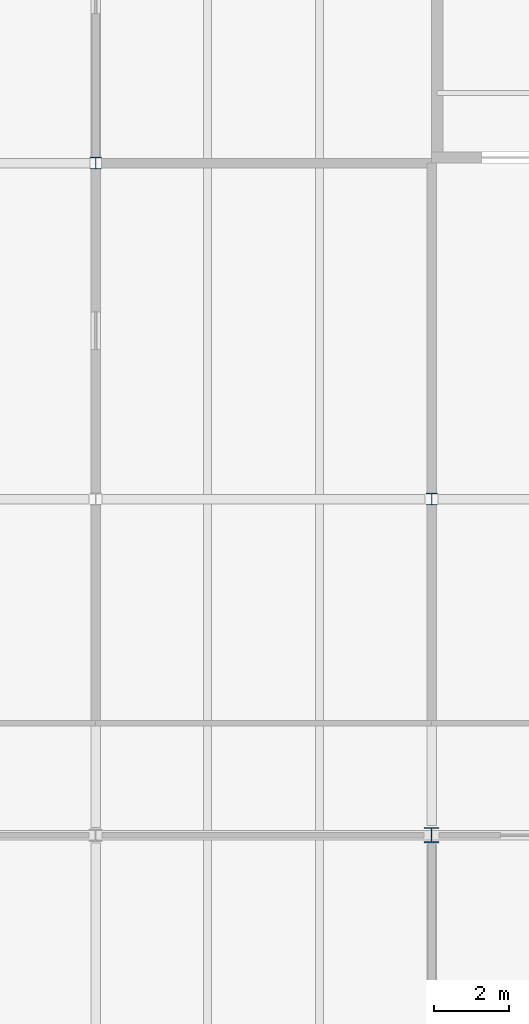
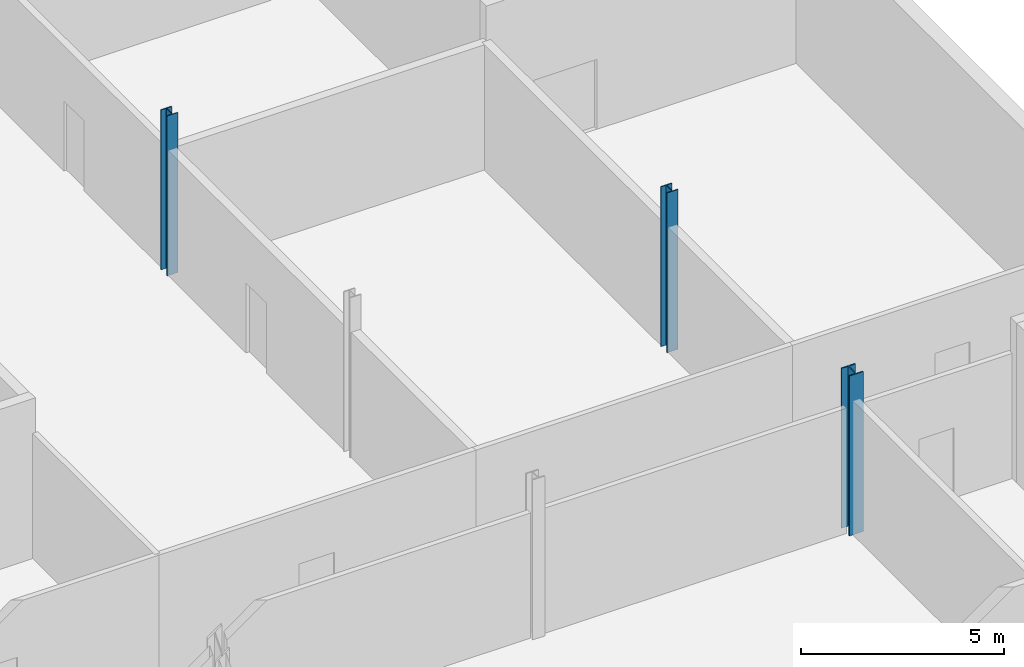
# One storey, part 7 of 31: 3 columns.
"""IFC4 building model written with IfcOpenShell, lengths in metres."""

from ifc_helpers import new_model, si_unit, direction, frame, origin, origin_2d, place, context, subcontext, project, spatial, i_section, extrude, material, material_profile, profile_set, type_object, element, save


model = new_model("IFC4")

# Units and contexts
model_context = context("Model", 3, precision=1e-05, world=origin(), true_north=direction((0.0, 1.0)))
body_context = subcontext(model_context, "Body", "Model", "MODEL_VIEW")
ifc_project = project(units=[si_unit("LENGTHUNIT", "METRE"), si_unit("AREAUNIT", "SQUARE_METRE"), si_unit("VOLUMEUNIT", "CUBIC_METRE"), si_unit("PLANEANGLEUNIT", "RADIAN"), si_unit("MASSUNIT", "GRAM", prefix="KILO")], contexts=[model_context])

# Site, building, storey
site_placement = place(None, origin())
site = spatial("IfcSite", under=ifc_project, at=site_placement, CompositionType="ELEMENT")
building_placement = place(site_placement, origin())
building = spatial("IfcBuilding", under=site, at=building_placement, Name="Halyard Row Museum", CompositionType="ELEMENT")
storey_placement = place(building_placement, frame((0.0, 0.0, -4.800048828125)))
storey = spatial("IfcBuildingStorey", under=building, at=storey_placement, Name="B1", CompositionType="ELEMENT", Elevation=-4.800048828125)

# Columns
ifc_material_1 = material(Name="Steel Grade 300", Category="steel")
ifc_material_profile_1 = material_profile(ifc_material_1, i_section(OverallWidth=0.30908203125, OverallDepth=0.320556640625, WebThickness=0.013916015625, FlangeThickness=0.021728515625, FilletRadius=0.0166015625, at=origin_2d()), Name="310UC137")
ifc_profile_set_1 = profile_set([ifc_material_profile_1], Name="Steel Grade 300")
column_type_1 = type_object("IfcColumnType", Name="Column 310UC137 interior", PredefinedType="COLUMN", material=ifc_profile_set_1)
column_1_placement = place(storey_placement, frame((90.0, 54.0, 0.0), z_axis=(0.0, 0.0, 1.0), x_axis=(1.0, 0.0, 0.0)))
element("IfcColumn", 1, at=column_1_placement, inside=storey, type_object=column_type_1, Name="Column 11G B1", PredefinedType="COLUMN", context=body_context, shape_type="SweptSolid", body=[
    extrude(i_section(OverallWidth=0.30908203125, OverallDepth=0.320556640625, WebThickness=0.013916015625, FlangeThickness=0.021728515625, FilletRadius=0.0166015625, at=origin_2d()), origin(), (0.0, 0.0, 1.0), 4.800048828125),
])
ifc_material_2 = material(Name="Steel Grade 300", Category="steel")
ifc_material_profile_2 = material_profile(ifc_material_2, i_section(OverallWidth=0.31103515625, OverallDepth=0.3271484375, WebThickness=0.015625, FlangeThickness=0.02490234375, FilletRadius=0.0166015625, at=origin_2d()), Name="310UC158")
ifc_profile_set_2 = profile_set([ifc_material_profile_2], Name="Steel Grade 300")
column_type_2 = type_object("IfcColumnType", Name="Column 310UC158 interior", PredefinedType="COLUMN", material=ifc_profile_set_2)
column_2_placement = place(storey_placement, frame((99.0, 45.0, 0.0), z_axis=(0.0, 0.0, 1.0), x_axis=(1.0, 0.0, 0.0)))
element("IfcColumn", 2, at=column_2_placement, inside=storey, type_object=column_type_2, Name="Column 12F B1", PredefinedType="COLUMN", context=body_context, shape_type="SweptSolid", body=[
    extrude(i_section(OverallWidth=0.31103515625, OverallDepth=0.3271484375, WebThickness=0.015625, FlangeThickness=0.02490234375, FilletRadius=0.0166015625, at=origin_2d()), origin(), (0.0, 0.0, 1.0), 4.800048828125),
])
ifc_material_3 = material(Name="Steel Grade 300", Category="steel")
ifc_material_profile_3 = material_profile(ifc_material_3, i_section(OverallWidth=0.39990234375, OverallDepth=0.4140625, WebThickness=0.02490234375, FlangeThickness=0.031982421875, at=origin_2d()), Name="400WC270")
ifc_profile_set_3 = profile_set([ifc_material_profile_3], Name="Steel Grade 300")
column_type_3 = type_object("IfcColumnType", Name="Column 400WC270 interior", PredefinedType="COLUMN", material=ifc_profile_set_3)
column_3_placement = place(storey_placement, frame((99.0, 36.0, 0.0), z_axis=(0.0, 0.0, 1.0), x_axis=(1.0, 0.0, 0.0)))
element("IfcColumn", 3, at=column_3_placement, inside=storey, type_object=column_type_3, Name="Column 12E B1", PredefinedType="COLUMN", context=body_context, shape_type="SweptSolid", body=[
    extrude(i_section(OverallWidth=0.39990234375, OverallDepth=0.4140625, WebThickness=0.02490234375, FlangeThickness=0.031982421875, at=origin_2d()), origin(), (0.0, 0.0, 1.0), 4.800048828125),
])

save(model, "model.ifc")
